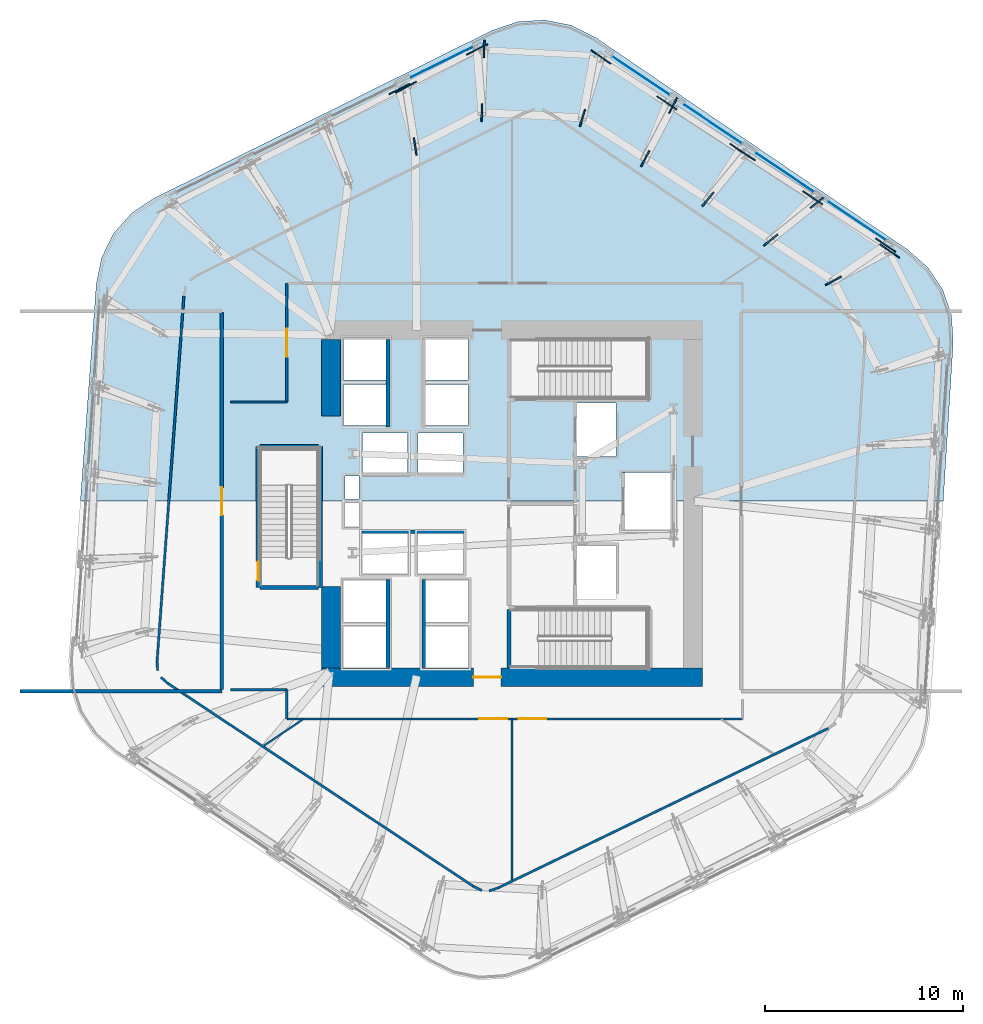
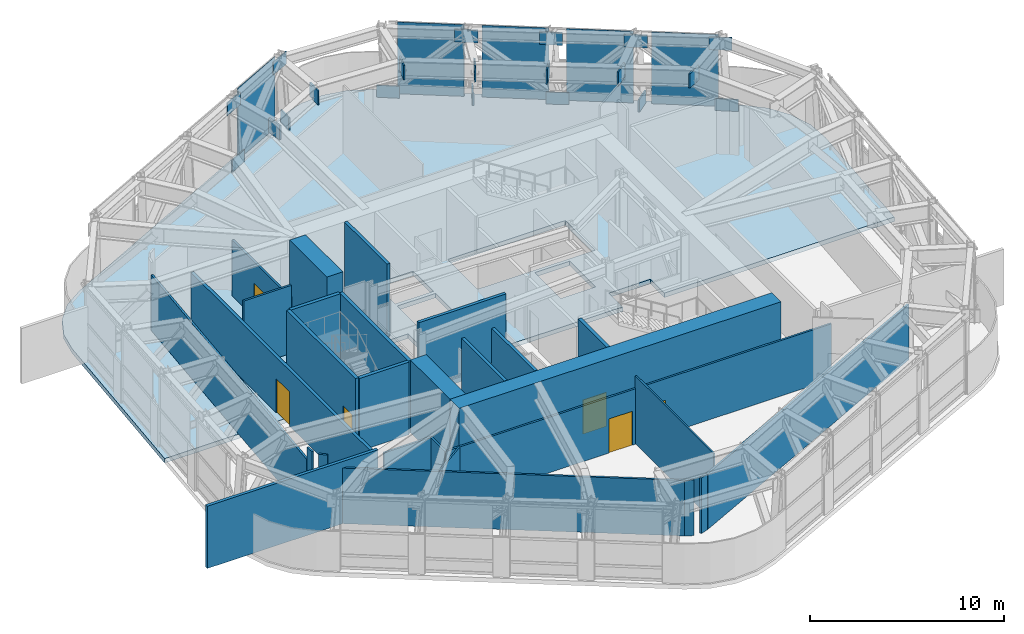
# One storey, part 8 of 14: 28 walls, 25 plates, 6 doors, 1 slab, 6 openings, 2 elements without a shape of their own.
"""IFC4 building model written with IfcOpenShell, lengths in metres."""

from ifc_helpers import new_model, si_unit, direction, frame, frame_2d, origin, origin_2d, place, context, subcontext, project, spatial, polyline, rectangle, outline, extrude, material, layer, layer_set, type_object, element, fill, aggregate, save


model = new_model("IFC4")

# Units and contexts
model_context = context("Model", 3, precision=1e-05, world=origin(), true_north=direction((0.0, 1.0)))
body_context = subcontext(model_context, "Body", "Model", "MODEL_VIEW")
ifc_project = project(units=[si_unit("LENGTHUNIT", "METRE"), si_unit("AREAUNIT", "SQUARE_METRE"), si_unit("VOLUMEUNIT", "CUBIC_METRE"), si_unit("PLANEANGLEUNIT", "RADIAN"), si_unit("MASSUNIT", "GRAM", prefix="KILO")], contexts=[model_context])

# Site, building, storey
site_placement = place(None, origin())
site = spatial("IfcSite", under=ifc_project, at=site_placement, CompositionType="ELEMENT")
building_placement = place(site_placement, origin())
building = spatial("IfcBuilding", under=site, at=building_placement, Name="Valkerne Bourse Tower", CompositionType="ELEMENT")
storey_placement = place(building_placement, frame((0.0, 0.0, 135.199951171875)))
storey = spatial("IfcBuildingStorey", under=building, at=storey_placement, Name="L34", CompositionType="ELEMENT", Elevation=135.199951171875)

# Curtain wall, plates
ifc_material_1 = material(Name="Aluminium AA 6063-T6", Category="aluminium")
ifc_layer_1 = layer(ifc_material_1, 0.25)
ifc_layer_set_1 = layer_set([ifc_layer_1], Name="Aluminium AA 6063-T6")
curtain_wall_type = type_object("IfcCurtainWallType", Name="CW-06", PredefinedType="NOTDEFINED", material=ifc_layer_set_1)
curtain_wall_1_placement = place(storey_placement, origin())
curtain_wall_1 = element("IfcCurtainWall", 1, at=curtain_wall_1_placement, inside=storey, type_object=curtain_wall_type, Name="L34 Hexagonal Stick Curtain Wall Face 1", PredefinedType="NOTDEFINED")
ifc_material_2 = material(Name="Bronze Anodised Aluminium AA 6063-T6", Category="aluminium")
ifc_layer_2 = layer(ifc_material_2, 0.0400390625)
ifc_layer_set_2 = layer_set([ifc_layer_2], Name="Bronze Anodised Aluminium AA 6063-T6")
plate_type_1 = type_object("IfcPlateType", Name="CW-PNL-LOUVRE-40", PredefinedType="CURTAIN_PANEL", material=ifc_layer_set_2)
plate_1_placement = place(storey_placement, frame((64.2080078125, 41.118408203125, 0.030029296875), z_axis=(0.0, 0.0, 1.0), x_axis=(-0.830015933895, 0.557739678955, 0.0)))
plate_1 = element("IfcPlate", 2, at=plate_1_placement, type_object=plate_type_1, Name="CW-L34-F1 Curtain Panel 00", PredefinedType="CURTAIN_PANEL", context=body_context, shape_type="SweptSolid", body=[
    extrude(rectangle(XDim=3.463134765625, YDim=0.0400390625, at=origin_2d()), origin(), (0.0, 0.0, 1.0), 4.52001953125),
])
plate_2_placement = place(storey_placement, frame((60.570068359375, 43.56298828125, 0.030029296875), z_axis=(0.0, 0.0, 1.0), x_axis=(-0.830008836501, 0.557750240996, 0.0)))
plate_2 = element("IfcPlate", 3, at=plate_2_placement, type_object=plate_type_1, Name="CW-L34-F1 Curtain Panel 01", PredefinedType="CURTAIN_PANEL", context=body_context, shape_type="SweptSolid", body=[
    extrude(rectangle(XDim=3.462890625, YDim=0.0400390625, at=origin_2d()), origin(), (0.0, 0.0, 1.0), 4.52001953125),
])
plate_3_placement = place(storey_placement, frame((56.93212890625, 46.007568359375, 0.030029296875), z_axis=(0.0, 0.0, 1.0), x_axis=(-0.830015933895, 0.557739678955, 0.0)))
plate_3 = element("IfcPlate", 4, at=plate_3_placement, type_object=plate_type_1, Name="CW-L34-F1 Curtain Panel 02", PredefinedType="CURTAIN_PANEL", context=body_context, shape_type="SweptSolid", body=[
    extrude(rectangle(XDim=3.463134765625, YDim=0.0400390625, at=origin_2d()), origin(), (0.0, 0.0, 1.0), 4.52001953125),
])
plate_4_placement = place(storey_placement, frame((53.294189453125, 48.4521484375, 0.030029296875), z_axis=(0.0, 0.0, 1.0), x_axis=(-0.830008836501, 0.557750240996, 0.0)))
plate_4 = element("IfcPlate", 5, at=plate_4_placement, type_object=plate_type_1, Name="CW-L34-F1 Curtain Panel 03", PredefinedType="CURTAIN_PANEL", context=body_context, shape_type="SweptSolid", body=[
    extrude(rectangle(XDim=3.462890625, YDim=0.0400390625, at=origin_2d()), origin(), (0.0, 0.0, 1.0), 4.52001953125),
])
aggregate(curtain_wall_1, [plate_1, plate_2, plate_3, plate_4])

# Curtain wall, plate
curtain_wall_2_placement = place(storey_placement, origin())
curtain_wall_2 = element("IfcCurtainWall", 6, at=curtain_wall_2_placement, inside=storey, type_object=curtain_wall_type, Name="L34 Hexagonal Stick Curtain Wall Face 2", PredefinedType="NOTDEFINED")
plate_5_placement = place(storey_placement, frame((43.277099609375, 49.135009765625, 0.030029296875), z_axis=(0.0, 0.0, 1.0), x_axis=(-0.898025366762, -0.439943678955, 0.0)))
plate_5 = element("IfcPlate", 7, at=plate_5_placement, type_object=plate_type_1, Name="CW-L34-F2 Curtain Panel 00", PredefinedType="CURTAIN_PANEL", context=body_context, shape_type="SweptSolid", body=[
    extrude(rectangle(XDim=3.462890625, YDim=0.0400390625, at=origin_2d()), origin(), (0.0, 0.0, 1.0), 4.52001953125),
])
aggregate(curtain_wall_2, [plate_5])

# Plates
ifc_material_3 = material(Name="Steel ASTM A572 Grade 50", Category="steel")
ifc_layer_3 = layer(ifc_material_3, 0.06005859375)
ifc_layer_set_3 = layer_set([ifc_layer_3], Name="Steel ASTM A572 Grade 50")
plate_type_2 = type_object("IfcPlateType", Name="PLT-GUS-60", PredefinedType="SHEET", material=ifc_layer_set_3)
for number, where, z_axis, x_axis, name in (
    (8, (65.636962890625, 39.911376953125, 3.72998046875), (0.0, 0.0, 1.0), (-0.830012285095, 0.55774510898, 0.0), "L34 Belt Truss Gusset Plate GP-041"),
    (9, (61.961181640625, 42.298583984375, 3.72998046875), (0.0, 0.0, 1.0), (-0.830012285095, 0.55774510898, 0.0), "L34 Belt Truss Gusset Plate GP-042"),
    (10, (58.28515625, 44.685546875, 3.72998046875), (0.0, 0.0, 1.0), (-0.830012285095, 0.55774510898, 0.0), "L34 Belt Truss Gusset Plate GP-043"),
    (11, (54.609375, 47.07275390625, 3.72998046875), (0.0, 0.0, 1.0), (-0.830012285095, 0.55774510898, 0.0), "L34 Belt Truss Gusset Plate GP-044"),
    (12, (45.036865234375, 49.76904296875, 3.72998046875), (0.0, 0.0, 1.0), (-0.898027575761, -0.439939169856, 0.0), "L34 Belt Truss Gusset Plate GP-045"),
    (13, (41.131591796875, 47.779052734375, 3.72998046875), (0.0, 0.0, 1.0), (-0.898027575761, -0.439939169856, 0.0), "L34 Belt Truss Gusset Plate GP-046"),
    (14, (65.83740234375, 39.614013671875, -0.0498046875), (0.0, 0.0, 1.0), (-0.822144041031, 0.569279523431, 0.0), "L34 Brace Node Gusset Plate PLT-GUS-END-L34-167"),
    (15, (58.5615234375, 44.503173828125, -0.0498046875), (0.0, 0.0, 1.0), (0.839050593311, -0.544053399827, 0.0), "L34 Brace Node Gusset Plate PLT-GUS-END-L34-168"),
    (16, (51.28564453125, 49.392333984375, -0.0498046875), (0.0, 0.0, 1.0), (0.82005200509, -0.572289008237, 0.0), "L34 Brace Node Gusset Plate PLT-GUS-END-L34-169"),
    (17, (41.458740234375, 47.865478515625, -0.0498046875), (0.0, 0.0, 1.0), (0.882865641166, 0.469625659061, 0.0), "L34 Brace Node Gusset Plate PLT-GUS-END-L34-170"),
):
    element("IfcPlate", number, at=place(storey_placement, frame(where, z_axis=z_axis, x_axis=x_axis)), inside=storey, type_object=plate_type_2, Name=name, PredefinedType="SHEET", context=body_context, shape_type="SweptSolid", body=[
        extrude(rectangle(XDim=1.199951171875, YDim=0.06005859375, at=origin_2d()), origin(), (0.0, 0.0, 1.0), 0.800048828125),
    ])
ifc_layer_4 = layer(ifc_material_3, 0.080078125)
ifc_layer_set_4 = layer_set([ifc_layer_4], Name="Steel ASTM A572 Grade 50")
plate_type_3 = type_object("IfcPlateType", Name="PLT-GUS-80", PredefinedType="SHEET", material=ifc_layer_set_4)
for number, where, z_axis, x_axis, name in (
    (18, (63.0068359375, 38.1083984375, 3.5966796875), (0.0, 0.0, 1.0), (-0.882947592859, -0.469471562786, 0.0), "L34 Brace Node Gusset Plate PLT-GUS-END-L34-185"),
    (19, (62.199462890625, 42.05859375, -0.099853515625), (0.0, 0.0, 1.0), (-0.779009769128, -0.627011785857, 0.0), "L34 Brace Node Gusset Plate PLT-GUS-END-L34-186"),
    (20, (59.843994140625, 40.162353515625, 3.5966796875), (0.0, 0.0, 1.0), (-0.779009769128, -0.627011785857, 0.0), "L34 Brace Node Gusset Plate PLT-GUS-END-L34-187"),
    (21, (56.681396484375, 42.21630859375, 3.5966796875), (0.0, 0.0, 1.0), (-0.635000209429, -0.772511963678, 0.0), "L34 Brace Node Gusset Plate PLT-GUS-END-L34-188"),
    (22, (54.923583984375, 46.94775390625, -0.099853515625), (0.0, 0.0, 1.0), (-0.464532956732, -0.885555832294, 0.0), "L34 Brace Node Gusset Plate PLT-GUS-END-L34-189"),
    (23, (53.518798828125, 44.27001953125, 3.5966796875), (0.0, 0.0, 1.0), (-0.464532956732, -0.885555832294, 0.0), "L34 Brace Node Gusset Plate PLT-GUS-END-L34-190"),
    (24, (50.356201171875, 46.323974609375, 3.5966796875), (0.0, 0.0, 1.0), (-0.289867105645, -0.957066905219, 0.0), "L34 Brace Node Gusset Plate PLT-GUS-END-L34-191"),
    (25, (45.394775390625, 49.7939453125, -0.099853515625), (0.0, 0.0, 1.0), (-0.034899496703, -0.999390827019, 0.0), "L34 Brace Node Gusset Plate PLT-GUS-END-L34-192"),
    (26, (45.283203125, 46.589599609375, 3.5966796875), (0.0, 0.0, 1.0), (-0.034899496703, -0.999390827019, 0.0), "L34 Brace Node Gusset Plate PLT-GUS-END-L34-193"),
    (27, (41.923095703125, 44.877685546875, 3.5966796875), (0.0, 0.0, 1.0), (0.15350325046, -0.988148142789, 0.0), "L34 Brace Node Gusset Plate PLT-GUS-END-L34-194"),
):
    element("IfcPlate", number, at=place(storey_placement, frame(where, z_axis=z_axis, x_axis=x_axis)), inside=storey, type_object=plate_type_3, Name=name, PredefinedType="SHEET", context=body_context, shape_type="SweptSolid", body=[
        extrude(rectangle(XDim=0.89990234375, YDim=0.080078125, at=origin_2d()), origin(), (0.0, 0.0, 1.0), 0.89990234375),
    ])

# Slab
ifc_material_4 = material(Name="Concrete C40/50", Category="concrete")
ifc_layer_5 = layer(ifc_material_4, 0.280029296875)
ifc_layer_set_5 = layer_set([ifc_layer_5], Name="Concrete C40/50")
slab_type = type_object("IfcSlabType", Name="SLB-PLT-280", PredefinedType="FLOOR", material=ifc_layer_set_5)
slab_placement = place(storey_placement, frame((0.0, 0.0, -0.280029296875)))
element("IfcSlab", 28, at=slab_placement, inside=storey, type_object=slab_type, Name="L34 Hexagonal Composite Floor Slab N", PredefinedType="FLOOR", context=body_context, shape_type="SweptSolid", body=[
    extrude(outline(polyline([(25.845458984375, 37.948486328125), (26.11376953125, 39.279052734375), (26.71728515625, 40.4951171875), (27.614990234375, 41.51318359375), (28.745849609375, 42.264404296875), (45.812255859375, 50.73779296875), (47.098876953125, 51.170654296875), (48.45361328125, 51.256103515625), (49.7841796875, 50.987548828125), (51.000244140625, 50.384033203125), (66.7587890625, 39.673095703125), (67.777099609375, 38.775146484375), (68.5283203125, 37.64453125), (68.961181640625, 36.35791015625), (69.04638671875, 35.003173828125), (68.54345703125, 27.0), (54.840087890625, 27.0), (54.840087890625, 28.43994140625), (52.360107421875, 28.43994140625), (52.360107421875, 27.0), (37.114990234375, 27.0), (37.114990234375, 29.675048828125), (34.034912109375, 29.675048828125), (34.034912109375, 27.0), (25.040771484375, 27.0), (25.845458984375, 37.948486328125)]), holes=[polyline([(39.10009765625, 28.27001953125), (38.3798828125, 28.27001953125), (38.3798828125, 27.10009765625), (39.10009765625, 27.10009765625), (39.10009765625, 28.27001953125)]), polyline([(41.5400390625, 30.43994140625), (39.260009765625, 30.43994140625), (39.260009765625, 28.360107421875), (41.5400390625, 28.360107421875), (41.5400390625, 30.43994140625)]), polyline([(44.340087890625, 30.43994140625), (42.06005859375, 30.43994140625), (42.06005859375, 28.360107421875), (44.340087890625, 28.360107421875), (44.340087890625, 30.43994140625)]), polyline([(40.590087890625, 30.81005859375), (40.590087890625, 32.889892578125), (38.31005859375, 32.889892578125), (38.31005859375, 30.81005859375), (40.590087890625, 30.81005859375)]), polyline([(40.590087890625, 33.110107421875), (40.590087890625, 35.18994140625), (38.31005859375, 35.18994140625), (38.31005859375, 33.110107421875), (40.590087890625, 33.110107421875)]), polyline([(52.0400390625, 31.93994140625), (49.9599609375, 31.93994140625), (49.9599609375, 29.260009765625), (52.0400390625, 29.260009765625), (52.0400390625, 31.93994140625)]), polyline([(44.590087890625, 32.889892578125), (42.31005859375, 32.889892578125), (42.31005859375, 30.81005859375), (44.590087890625, 30.81005859375), (44.590087890625, 32.889892578125)]), polyline([(53.675048828125, 32.135009765625), (53.675048828125, 35.215087890625), (46.6650390625, 35.215087890625), (46.6650390625, 32.135009765625), (53.675048828125, 32.135009765625)]), polyline([(44.590087890625, 33.110107421875), (44.590087890625, 35.18994140625), (42.31005859375, 35.18994140625), (42.31005859375, 33.110107421875), (44.590087890625, 33.110107421875)])]), origin(), (0.0, 0.0, 1.0), 0.280029296875),
])

# Wall, opening, door
ifc_material_5 = material(Name="Concrete C70/85", Category="concrete")
ifc_layer_6 = layer(ifc_material_5, 0.949951171875)
ifc_layer_set_6 = layer_set([ifc_layer_6], Name="Concrete C70/85")
wall_type_1 = type_object("IfcWallType", Name="W-CORE-950", PredefinedType="SHEAR", material=ifc_layer_set_6)
wall_1_placement = place(storey_placement, frame((37.199951171875, 18.125, 0.0), z_axis=(0.0, 0.0, 1.0), x_axis=(1.0, 0.0, 0.0)))
wall_1 = element("IfcWall", 29, at=wall_1_placement, inside=storey, type_object=wall_type_1, Name="L34 Core Shear Wall SOUTH", PredefinedType="SHEAR", context=body_context, shape_type="SweptSolid", body=[
    extrude(rectangle(XDim=19.199951171875, YDim=0.949951171875, at=frame_2d((9.60009765625, 0.0))), origin(), (0.0, 0.0, 1.0), 4.580078125),
])
opening_1_placement = place(wall_1_placement, frame((7.64990234375, 0.0, 0.0)))
opening_1 = element("IfcOpeningElement", 30, at=opening_1_placement, cuts=wall_1, Name="Opening D-PL-1400", PredefinedType="OPENING", context=body_context, shape_type="SweptSolid", body=[
    extrude(rectangle(XDim=1.39990234375, YDim=2.14990234375, at=frame_2d((0.699951171875, 1.074951171875))), frame((0.0, 0.48486328125, 0.0), z_axis=(0.0, -1.0, 0.0), x_axis=(1.0, 0.0, 0.0)), (0.0, 0.0, 1.0), 0.969970703125),
])
ifc_material_6 = material(Name="Galvanised Painted Steel", Category="steel")
door_type_1 = type_object("IfcDoorType", Name="DR-PLT-1400", OperationType="DOUBLE_DOOR_SINGLE_SWING", PredefinedType="DOOR", material=ifc_material_6)
door_1_placement = place(opening_1_placement, origin())
door_1 = element("IfcDoor", 31, at=door_1_placement, inside=storey, type_object=door_type_1, Name="L34 South Passenger Lift Hall Fire Door", OperationType="DOUBLE_DOOR_SINGLE_SWING", OverallHeight=2.14990234375, OverallWidth=1.39990234375, PredefinedType="DOOR", context=body_context, shape_type="SweptSolid", body=[
    extrude(rectangle(XDim=1.39990234375, YDim=2.14990234375, at=frame_2d((0.699951171875, 1.074951171875))), frame((0.0, 0.02490234375, 0.0), z_axis=(0.0, -1.0, 0.0), x_axis=(1.0, 0.0, 0.0)), (0.0, 0.0, 1.0), 0.050048828125),
])
fill(opening_1, door_1)

# Walls
wall_2_placement = place(storey_placement, frame((37.675048828125, 18.60009765625, 0.0), z_axis=(0.0, 0.0, 1.0), x_axis=(0.0, 1.0, 0.0)))
element("IfcWall", 32, at=wall_2_placement, inside=storey, type_object=wall_type_1, Name="L34 Core Shear Wall WEST-S", PredefinedType="SHEAR", context=body_context, shape_type="SweptSolid", body=[
    extrude(rectangle(XDim=4.099853515625, YDim=0.949951171875, at=frame_2d((2.0498046875, 0.0))), origin(), (0.0, 0.0, 1.0), 4.580078125),
])
wall_3_placement = place(storey_placement, frame((37.675048828125, 31.300048828125, 0.0), z_axis=(0.0, 0.0, 1.0), x_axis=(0.0, 1.0, 0.0)))
element("IfcWall", 33, at=wall_3_placement, inside=storey, type_object=wall_type_1, Name="L34 Core Shear Wall WEST-N", PredefinedType="SHEAR", context=body_context, shape_type="SweptSolid", body=[
    extrude(rectangle(XDim=3.849853515625, YDim=0.949951171875, at=frame_2d((1.9248046875, 0.0))), origin(), (0.0, 0.0, 1.0), 4.580078125),
])
ifc_material_7 = material(Name="Gypsum Board Steel-Stud Partition", Category="steel")
ifc_layer_7 = layer(ifc_material_7, 0.117919921875)
ifc_layer_set_7 = layer_set([ifc_layer_7], Name="Gypsum Board Steel-Stud Partition")
wall_type_2 = type_object("IfcWallType", Name="W-CORR-140", PredefinedType="PARTITIONING", material=ifc_layer_set_7)
wall_4_placement = place(storey_placement, frame((62.741455078125, 15.544921875, 0.0), z_axis=(0.0, 0.0, 1.0), x_axis=(-0.900352577888, -0.435161160366, 0.0)))
element("IfcWall", 34, at=wall_4_placement, inside=storey, type_object=wall_type_2, Name="L34 L34 Outrigger Truss Gallery Ring Wall", PredefinedType="PARTITIONING", context=body_context, shape_type="SweptSolid", body=[
    extrude(rectangle(XDim=18.470947265625, YDim=0.117919921875, at=frame_2d((9.2353515625, 0.0))), origin(), (0.0, 0.0, 1.0), 3.503173828125),
])
wall_5_placement = place(storey_placement, frame((46.111083984375, 7.507080078125, 0.0), z_axis=(0.0, 0.0, 1.0), x_axis=(-0.947685761174, -0.31920479017, 0.0)))
element("IfcWall", 35, at=wall_5_placement, inside=storey, type_object=wall_type_2, Name="L34 L34 Outrigger Truss Gallery Ring Wall", PredefinedType="PARTITIONING", context=body_context, shape_type="SweptSolid", body=[
    extrude(rectangle(XDim=0.49169921875, YDim=0.117919921875, at=frame_2d((0.245849609375, 0.0))), origin(), (0.0, 0.0, 1.0), 3.503173828125),
])
wall_6_placement = place(storey_placement, frame((45.277587890625, 7.375244140625, 0.0), z_axis=(0.0, 0.0, 1.0), x_axis=(-0.895713693366, 0.444631284906, 0.0)))
element("IfcWall", 36, at=wall_6_placement, inside=storey, type_object=wall_type_2, Name="L34 L34 Outrigger Truss Gallery Ring Wall", PredefinedType="PARTITIONING", context=body_context, shape_type="SweptSolid", body=[
    extrude(rectangle(XDim=0.491943359375, YDim=0.117919921875, at=frame_2d((0.24609375, 0.0))), origin(), (0.0, 0.0, 1.0), 3.503173828125),
])
wall_7_placement = place(storey_placement, frame((44.8369140625, 7.593994140625, 0.0), z_axis=(0.0, 0.0, 1.0), x_axis=(-0.832962200823, 0.553329894366, 0.0)))
element("IfcWall", 37, at=wall_7_placement, inside=storey, type_object=wall_type_2, Name="L34 L34 Outrigger Truss Gallery Ring Wall", PredefinedType="PARTITIONING", context=body_context, shape_type="SweptSolid", body=[
    extrude(rectangle(XDim=18.470703125, YDim=0.117919921875, at=frame_2d((9.2353515625, 0.0))), origin(), (0.0, 0.0, 1.0), 3.503173828125),
])
for number, where, z_axis, x_axis, name in (
    (38, (29.451416015625, 17.814453125, 0.0), (0.0, 0.0, 1.0), (-0.750050918721, 0.661380086883, 0.0), "L34 L34 Outrigger Truss Gallery Ring Wall"),
    (39, (28.938232421875, 18.454833984375, 0.0), (0.0, 0.0, 1.0), (-0.062605646157, 0.998038342485, 0.0), "L34 L34 Outrigger Truss Gallery Ring Wall"),
):
    element("IfcWall", number, at=place(storey_placement, frame(where, z_axis=z_axis, x_axis=x_axis)), inside=storey, type_object=wall_type_2, Name=name, PredefinedType="PARTITIONING", context=body_context, shape_type="SweptSolid", body=[
        extrude(rectangle(XDim=0.468017578125, YDim=0.117919921875, at=frame_2d((0.23388671875, 0.0))), origin(), (0.0, 0.0, 1.0), 4.280029296875),
    ])
wall_8_placement = place(storey_placement, frame((28.908935546875, 18.921875, 0.0), z_axis=(0.0, 0.0, 1.0), x_axis=(0.073304956581, 0.99730957247, 0.0)))
element("IfcWall", 40, at=wall_8_placement, inside=storey, type_object=wall_type_2, Name="L34 L34 Outrigger Truss Gallery Ring Wall", PredefinedType="PARTITIONING", context=body_context, shape_type="SweptSolid", body=[
    extrude(rectangle(XDim=18.470947265625, YDim=0.117919921875, at=frame_2d((9.2353515625, 0.0))), origin(), (0.0, 0.0, 1.0), 3.503173828125),
])

# Wall, opening, door
wall_9_placement = place(storey_placement, frame((35.449951171875, 32.0, 0.0), z_axis=(0.0, 0.0, 1.0), x_axis=(0.0, 1.0, 0.0)))
wall_9 = element("IfcWall", 41, at=wall_9_placement, inside=storey, type_object=wall_type_2, Name="L34 Corridor Enclosure Wall", PredefinedType="PARTITIONING", context=body_context, shape_type="SweptSolid", body=[
    extrude(rectangle(XDim=5.97998046875, YDim=0.117919921875, at=frame_2d((2.989990234375, 0.0))), origin(), (0.0, 0.0, 1.0), 3.503173828125),
])
opening_2_placement = place(wall_9_placement, frame((2.2900390625, 0.0, 0.0)))
opening_2 = element("IfcOpeningElement", 42, at=opening_2_placement, cuts=wall_9, Name="Opening D-PL-1400", PredefinedType="OPENING", context=body_context, shape_type="SweptSolid", body=[
    extrude(rectangle(XDim=1.39990234375, YDim=2.14990234375, at=frame_2d((0.699951171875, 1.074951171875))), frame((0.0, 0.06884765625, 0.0), z_axis=(0.0, -1.0, 0.0), x_axis=(1.0, 0.0, 0.0)), (0.0, 0.0, 1.0), 0.137939453125),
])
door_2_placement = place(opening_2_placement, origin())
door_2 = element("IfcDoor", 43, at=door_2_placement, inside=storey, type_object=door_type_1, Name="L34 L34 Chilled Water Pump & Heat-Exchanger Plant Room 7 Door", OperationType="DOUBLE_DOOR_SINGLE_SWING", OverallHeight=2.14990234375, OverallWidth=1.39990234375, PredefinedType="DOOR", context=body_context, shape_type="SweptSolid", body=[
    extrude(rectangle(XDim=1.39990234375, YDim=2.14990234375, at=frame_2d((0.699951171875, 1.074951171875))), frame((0.0, 0.02490234375, 0.0), z_axis=(0.0, -1.0, 0.0), x_axis=(1.0, 0.0, 0.0)), (0.0, 0.0, 1.0), 0.050048828125),
])
fill(opening_2, door_2)

# Wall, openings, doors
wall_10_placement = place(storey_placement, frame((58.419921875, 16.02001953125, 0.0), z_axis=(0.0, 0.0, 1.0), x_axis=(-1.0, 0.0, 0.0)))
wall_10 = element("IfcWall", 44, at=wall_10_placement, inside=storey, type_object=wall_type_2, Name="L34 Corridor Enclosure Wall", PredefinedType="PARTITIONING", context=body_context, shape_type="SweptSolid", body=[
    extrude(rectangle(XDim=22.969970703125, YDim=0.117919921875, at=frame_2d((11.48486328125, 0.0))), origin(), (0.0, 0.0, 1.0), 3.503173828125),
])
opening_3_placement = place(wall_10_placement, frame((11.864990234375, 0.0, 0.0)))
opening_3 = element("IfcOpeningElement", 45, at=opening_3_placement, cuts=wall_10, Name="Opening D-PL-1400", PredefinedType="OPENING", context=body_context, shape_type="SweptSolid", body=[
    extrude(rectangle(XDim=1.39990234375, YDim=2.14990234375, at=frame_2d((0.699951171875, 1.074951171875))), frame((0.0, 0.06884765625, 0.0), z_axis=(0.0, -1.0, 0.0), x_axis=(1.0, 0.0, 0.0)), (0.0, 0.0, 1.0), 0.137939453125),
])
opening_4_placement = place(wall_10_placement, frame((9.885009765625, 0.0, 0.0)))
opening_4 = element("IfcOpeningElement", 46, at=opening_4_placement, cuts=wall_10, Name="Opening D-PL-1400", PredefinedType="OPENING", context=body_context, shape_type="SweptSolid", body=[
    extrude(rectangle(XDim=1.39990234375, YDim=2.14990234375, at=frame_2d((0.699951171875, 1.074951171875))), frame((0.0, 0.06884765625, 0.0), z_axis=(0.0, -1.0, 0.0), x_axis=(1.0, 0.0, 0.0)), (0.0, 0.0, 1.0), 0.137939453125),
])
door_3_placement = place(opening_3_placement, origin())
door_3 = element("IfcDoor", 47, at=door_3_placement, inside=storey, type_object=door_type_1, Name="L34 L34 Supply & Return AHU Mechanical Plant Room 1 Door", OperationType="DOUBLE_DOOR_SINGLE_SWING", OverallHeight=2.14990234375, OverallWidth=1.39990234375, PredefinedType="DOOR", context=body_context, shape_type="SweptSolid", body=[
    extrude(rectangle(XDim=1.39990234375, YDim=2.14990234375, at=frame_2d((0.699951171875, 1.074951171875))), frame((0.0, 0.02490234375, 0.0), z_axis=(0.0, -1.0, 0.0), x_axis=(1.0, 0.0, 0.0)), (0.0, 0.0, 1.0), 0.050048828125),
])
fill(opening_3, door_3)
door_4_placement = place(opening_4_placement, origin())
door_4 = element("IfcDoor", 48, at=door_4_placement, inside=storey, type_object=door_type_1, Name="L34 L34 Chilled Water Pump & Heat-Exchanger Plant Room 2 Door", OperationType="DOUBLE_DOOR_SINGLE_SWING", OverallHeight=2.14990234375, OverallWidth=1.39990234375, PredefinedType="DOOR", context=body_context, shape_type="SweptSolid", body=[
    extrude(rectangle(XDim=1.39990234375, YDim=2.14990234375, at=frame_2d((0.699951171875, 1.074951171875))), frame((0.0, 0.02490234375, 0.0), z_axis=(0.0, -1.0, 0.0), x_axis=(1.0, 0.0, 0.0)), (0.0, 0.0, 1.0), 0.050048828125),
])
fill(opening_4, door_4)

# Walls
wall_11_placement = place(storey_placement, frame((35.449951171875, 16.02001953125, 0.0), z_axis=(0.0, 0.0, 1.0), x_axis=(0.0, 1.0, 0.0)))
element("IfcWall", 49, at=wall_11_placement, inside=storey, type_object=wall_type_2, Name="L34 Corridor Enclosure Wall", PredefinedType="PARTITIONING", context=body_context, shape_type="SweptSolid", body=[
    extrude(rectangle(XDim=1.47998046875, YDim=0.117919921875, at=frame_2d((0.739990234375, 0.0))), origin(), (0.0, 0.0, 1.0), 3.503173828125),
])
wall_12_placement = place(storey_placement, frame((35.449951171875, 17.5, 0.0), z_axis=(0.0, 0.0, 1.0), x_axis=(-1.0, 0.0, 0.0)))
element("IfcWall", 50, at=wall_12_placement, inside=storey, type_object=wall_type_2, Name="L34 Corridor Enclosure Wall", PredefinedType="PARTITIONING", context=body_context, shape_type="SweptSolid", body=[
    extrude(rectangle(XDim=2.83984375, YDim=0.117919921875, at=frame_2d((1.419921875, 0.0))), origin(), (0.0, 0.0, 1.0), 3.503173828125),
])
wall_13_placement = place(storey_placement, frame((32.610107421875, 32.0, 0.0), z_axis=(0.0, 0.0, 1.0), x_axis=(1.0, 0.0, 0.0)))
element("IfcWall", 51, at=wall_13_placement, inside=storey, type_object=wall_type_2, Name="L34 Corridor Enclosure Wall", PredefinedType="PARTITIONING", context=body_context, shape_type="SweptSolid", body=[
    extrude(rectangle(XDim=2.83984375, YDim=0.117919921875, at=frame_2d((1.419921875, 0.0))), origin(), (0.0, 0.0, 1.0), 4.280029296875),
])

# Wall, opening, door
ifc_material_8 = material(Name="Gypsum Fire-Rated Shaftwall", Category="gypsum")
ifc_layer_8 = layer(ifc_material_8, 0.179931640625)
ifc_layer_set_8 = layer_set([ifc_layer_8], Name="Gypsum Fire-Rated Shaftwall")
wall_type_3 = type_object("IfcWallType", Name="W-FSAE-180", PredefinedType="PARTITIONING", material=ifc_layer_set_8)
wall_14_placement = place(storey_placement, frame((32.179931640625, 17.5, 0.0), z_axis=(0.0, 0.0, 1.0), x_axis=(0.0, 1.0, 0.0)))
wall_14 = element("IfcWall", 52, at=wall_14_placement, inside=storey, type_object=wall_type_3, Name="L34 L34 West Sky Refuge Fire Wall", PredefinedType="PARTITIONING", context=body_context, shape_type="SweptSolid", body=[
    extrude(rectangle(XDim=19.0, YDim=0.179931640625, at=frame_2d((9.5, 0.0))), origin(), (0.0, 0.0, 1.0), 3.503173828125),
])
opening_5_placement = place(wall_14_placement, frame((8.800048828125, 0.0, 0.0)))
opening_5 = element("IfcOpeningElement", 53, at=opening_5_placement, cuts=wall_14, Name="Opening D-PL-1400", PredefinedType="OPENING", context=body_context, shape_type="SweptSolid", body=[
    extrude(rectangle(XDim=1.39990234375, YDim=2.14990234375, at=frame_2d((0.699951171875, 1.074951171875))), frame((0.0, 0.099853515625, 0.0), z_axis=(0.0, -1.0, 0.0), x_axis=(1.0, 0.0, 0.0)), (0.0, 0.0, 1.0), 0.199951171875),
])
door_5_placement = place(opening_5_placement, origin())
door_5 = element("IfcDoor", 54, at=door_5_placement, inside=storey, type_object=door_type_1, Name="L34 L34 West Sky Refuge Door", OperationType="DOUBLE_DOOR_SINGLE_SWING", OverallHeight=2.14990234375, OverallWidth=1.39990234375, PredefinedType="DOOR", context=body_context, shape_type="SweptSolid", body=[
    extrude(rectangle(XDim=1.39990234375, YDim=2.14990234375, at=frame_2d((0.699951171875, 1.074951171875))), frame((0.0, 0.02490234375, 0.0), z_axis=(0.0, -1.0, 0.0), x_axis=(1.0, 0.0, 0.0)), (0.0, 0.0, 1.0), 0.050048828125),
])
fill(opening_5, door_5)

# Walls
wall_15_placement = place(storey_placement, frame((22.0, 17.419921875, 0.0), z_axis=(0.0, 0.0, 1.0), x_axis=(1.0, 0.0, 0.0)))
element("IfcWall", 55, at=wall_15_placement, inside=storey, type_object=wall_type_3, Name="L34 L34 West Sky Refuge South Wall", PredefinedType="PARTITIONING", context=body_context, shape_type="SweptSolid", body=[
    extrude(rectangle(XDim=10.179931640625, YDim=0.179931640625, at=frame_2d((5.08984375, 0.0))), origin(), (0.0, 0.0, 1.0), 3.92236328125),
])
ifc_material_9 = material(Name="CMU Blockwork Masonry 200mm", Category="masonry")
ifc_layer_9 = layer(ifc_material_9, 0.179931640625)
ifc_layer_set_9 = layer_set([ifc_layer_9], Name="CMU Blockwork Masonry 200mm")
wall_type_4 = type_object("IfcWallType", Name="W-LFT-180", PredefinedType="SOLIDWALL", material=ifc_layer_set_9)
for number, where, z_axis, x_axis, name in (
    (56, (40.550048828125, 18.6201171875, 0.0), (0.0, 0.0, 1.0), (0.0, 1.0, 0.0), "L34 Low-Zone West Cars Front Wall"),
    (57, (42.35009765625, 18.6201171875, 0.0), (0.0, 0.0, 1.0), (0.0, 1.0, 0.0), "L34 Low-Zone East Cars Front Wall"),
):
    element("IfcWall", number, at=place(storey_placement, frame(where, z_axis=z_axis, x_axis=x_axis)), inside=storey, type_object=wall_type_4, Name=name, PredefinedType="SOLIDWALL", context=body_context, shape_type="SweptSolid", body=[
        extrude(rectangle(XDim=4.429931640625, YDim=0.179931640625, at=frame_2d((2.21484375, 0.0))), origin(), (0.0, 0.0, 1.0), 4.580078125),
    ])
wall_16_placement = place(storey_placement, frame((40.550048828125, 30.75, 0.0), z_axis=(0.0, 0.0, 1.0), x_axis=(0.0, 1.0, 0.0)))
element("IfcWall", 58, at=wall_16_placement, inside=storey, type_object=wall_type_4, Name="L34 Mid-Zone West Cars Front Wall", PredefinedType="SOLIDWALL", context=body_context, shape_type="SweptSolid", body=[
    extrude(rectangle(XDim=4.39990234375, YDim=0.179931640625, at=frame_2d((2.199951171875, 0.0))), origin(), (0.0, 0.0, 1.0), 4.580078125),
])
wall_17_placement = place(storey_placement, frame((39.25, 25.449951171875, 0.0), z_axis=(0.0, 0.0, 1.0), x_axis=(1.0, 0.0, 0.0)))
element("IfcWall", 59, at=wall_17_placement, inside=storey, type_object=wall_type_4, Name="L34 High-Zone South Cars Front Wall", PredefinedType="SOLIDWALL", context=body_context, shape_type="SweptSolid", body=[
    extrude(rectangle(XDim=5.199951171875, YDim=0.179931640625, at=frame_2d((2.60009765625, 0.0))), origin(), (0.0, 0.0, 1.0), 4.580078125),
])
ifc_layer_10 = layer(ifc_material_7, 0.092041015625)
ifc_layer_set_10 = layer_set([ifc_layer_10], Name="Gypsum Board Steel-Stud Partition")
wall_type_5 = type_object("IfcWallType", Name="W-PART-115", PredefinedType="PARTITIONING", material=ifc_layer_set_10)
wall_18_placement = place(storey_placement, frame((46.800048828125, 16.014892578125, 0.0), z_axis=(0.0, 0.0, 1.0), x_axis=(0.0, -1.0, 0.0)))
element("IfcWall", 60, at=wall_18_placement, inside=storey, type_object=wall_type_5, Name="L34 Suite Partition P01", PredefinedType="PARTITIONING", context=body_context, shape_type="SweptSolid", body=[
    extrude(rectangle(XDim=8.09716796875, YDim=0.092041015625, at=frame_2d((4.048583984375, 0.0))), origin(), (0.0, 0.0, 1.0), 4.280029296875),
])
wall_19_placement = place(storey_placement, frame((36.282958984375, 16.014892578125, 0.0), z_axis=(0.0, 0.0, 1.0), x_axis=(-0.828291777568, -0.560297002681, 0.0)))
element("IfcWall", 61, at=wall_19_placement, inside=storey, type_object=wall_type_5, Name="L34 Suite Partition P03", PredefinedType="PARTITIONING", context=body_context, shape_type="SweptSolid", body=[
    extrude(rectangle(XDim=2.390380859375, YDim=0.092041015625, at=frame_2d((1.1953125, 0.0))), origin(), (0.0, 0.0, 1.0), 3.503173828125),
])
ifc_layer_11 = layer(ifc_material_4, 0.199951171875)
ifc_layer_set_11 = layer_set([ifc_layer_11], Name="Concrete C40/50")
wall_type_6 = type_object("IfcWallType", Name="W-SHF-200", PredefinedType="SHEAR", material=ifc_layer_set_11)
wall_20_placement = place(storey_placement, frame((46.64990234375, 18.60009765625, 0.0), z_axis=(0.0, 0.0, 1.0), x_axis=(0.0, 1.0, 0.0)))
element("IfcWall", 62, at=wall_20_placement, inside=storey, type_object=wall_type_6, Name="L34 Exit Stair ST-1 Structural Shaft Wall West", PredefinedType="SHEAR", context=body_context, shape_type="SweptSolid", body=[
    extrude(rectangle(XDim=2.949951171875, YDim=0.199951171875, at=frame_2d((1.47509765625, 0.0))), origin(), (0.0, 0.0, 1.0), 4.580078125),
])

# Wall, opening, door
wall_21_placement = place(storey_placement, frame((34.0, 22.64990234375, 0.0), z_axis=(0.0, 0.0, 1.0), x_axis=(0.0, 1.0, 0.0)))
wall_21 = element("IfcWall", 63, at=wall_21_placement, inside=storey, type_object=wall_type_6, Name="L34 Exit Stair ST-3 Structural Shaft Wall West", PredefinedType="SHEAR", context=body_context, shape_type="SweptSolid", body=[
    extrude(rectangle(XDim=7.10009765625, YDim=0.199951171875, at=frame_2d((3.550048828125, 0.0))), origin(), (0.0, 0.0, 1.0), 4.580078125),
])
opening_6_placement = place(wall_21_placement, frame((0.35009765625, 0.0, 0.0)))
opening_6 = element("IfcOpeningElement", 64, at=opening_6_placement, cuts=wall_21, Name="Opening D-ST-950", PredefinedType="OPENING", context=body_context, shape_type="SweptSolid", body=[
    extrude(rectangle(XDim=0.949951171875, YDim=2.10009765625, at=frame_2d((0.47509765625, 1.050048828125))), frame((0.0, 0.10986328125, 0.0), z_axis=(0.0, -1.0, 0.0), x_axis=(1.0, 0.0, 0.0)), (0.0, 0.0, 1.0), 0.219970703125),
])
door_type_2 = type_object("IfcDoorType", Name="DR-STAIR-950", OperationType="NOTDEFINED", PredefinedType="DOOR", material=ifc_material_6)
door_6_placement = place(opening_6_placement, origin())
door_6 = element("IfcDoor", 65, at=door_6_placement, inside=storey, type_object=door_type_2, Name="L34 Exit Stair ST-3 Door", OperationType="SINGLE_SWING_RIGHT", OverallHeight=2.10009765625, OverallWidth=0.949951171875, PredefinedType="DOOR", context=body_context, shape_type="SweptSolid", body=[
    extrude(rectangle(XDim=0.949951171875, YDim=2.10009765625, at=frame_2d((0.47509765625, 1.050048828125))), frame((0.0, 0.02490234375, 0.0), z_axis=(0.0, -1.0, 0.0), x_axis=(1.0, 0.0, 0.0)), (0.0, 0.0, 1.0), 0.050048828125),
])
fill(opening_6, door_6)

# Walls
for number, where, z_axis, x_axis, name in (
    (66, (34.10009765625, 22.64990234375, 0.0), (0.0, 0.0, 1.0), (1.0, 0.0, 0.0), "L34 Exit Stair ST-3 Structural Shaft Wall South"),
    (67, (34.10009765625, 29.75, 0.0), (0.0, 0.0, 1.0), (1.0, 0.0, 0.0), "L34 Exit Stair ST-3 Structural Shaft Wall North"),
):
    element("IfcWall", number, at=place(storey_placement, frame(where, z_axis=z_axis, x_axis=x_axis)), inside=storey, type_object=wall_type_6, Name=name, PredefinedType="SHEAR", context=body_context, shape_type="SweptSolid", body=[
        extrude(rectangle(XDim=2.949951171875, YDim=0.199951171875, at=frame_2d((1.47509765625, 0.0))), origin(), (0.0, 0.0, 1.0), 4.580078125),
    ])
wall_22_placement = place(storey_placement, frame((37.14990234375, 22.64990234375, 0.0), z_axis=(0.0, 0.0, 1.0), x_axis=(0.0, 1.0, 0.0)))
element("IfcWall", 68, at=wall_22_placement, inside=storey, type_object=wall_type_6, Name="L34 Exit Stair ST-3 Structural Shaft Wall East", PredefinedType="SHEAR", context=body_context, shape_type="SweptSolid", body=[
    extrude(rectangle(XDim=7.10009765625, YDim=0.199951171875, at=frame_2d((3.550048828125, 0.0))), origin(), (0.0, 0.0, 1.0), 4.580078125),
])

save(model, "model.ifc")
